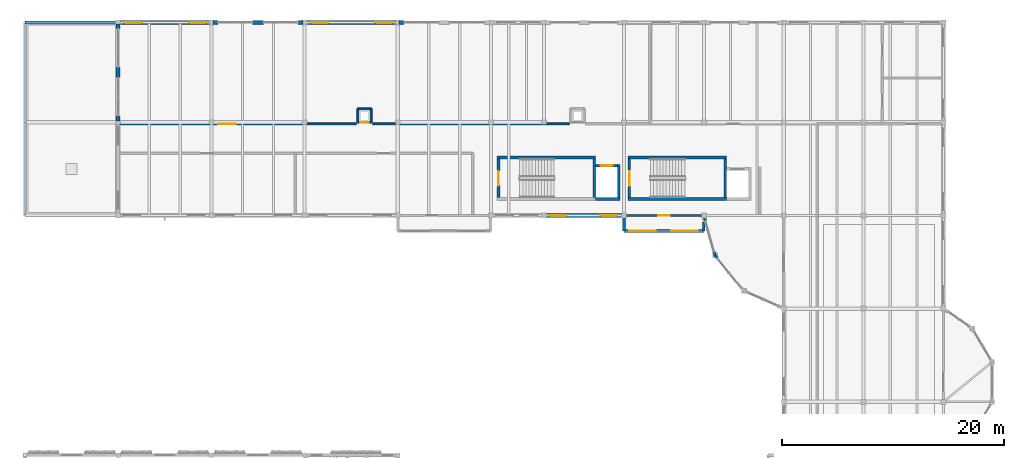
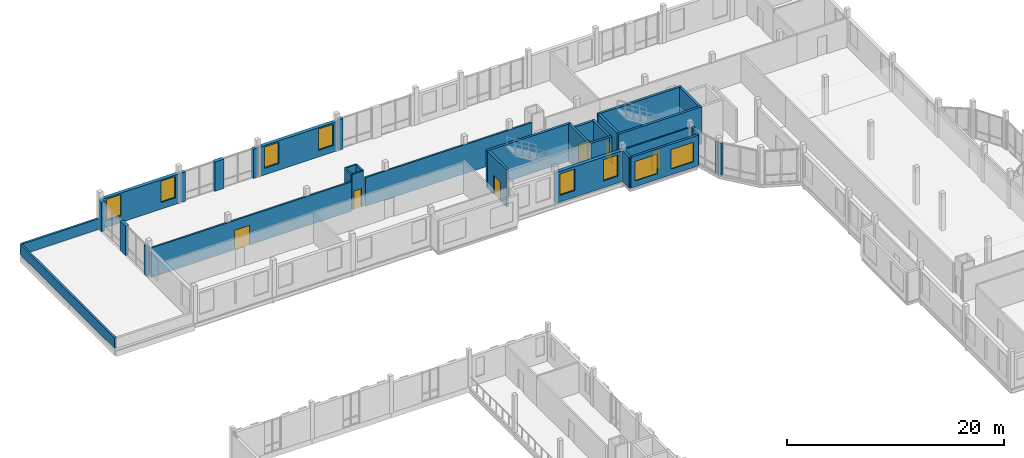
# One storey, part 60 of 81: 35 walls, 8 windows, 6 doors, 14 openings.
"""IFC4 building model written with IfcOpenShell, lengths in metres."""

from ifc_helpers import new_model, si_unit, direction, frame, frame_2d, origin, place, context, subcontext, project, spatial, rectangle, extrude, material, layer, layer_set, type_object, element, fill, save


model = new_model("IFC4")

# Units and contexts
model_context = context("Model", 3, precision=1e-05, world=origin(), true_north=direction((0.0, 1.0)))
body_context = subcontext(model_context, "Body", "Model", "MODEL_VIEW")
ifc_project = project(units=[si_unit("LENGTHUNIT", "METRE"), si_unit("AREAUNIT", "SQUARE_METRE"), si_unit("VOLUMEUNIT", "CUBIC_METRE"), si_unit("PLANEANGLEUNIT", "RADIAN"), si_unit("MASSUNIT", "GRAM", prefix="KILO")], contexts=[model_context])

# Site, building, storey
site_placement = place(None, origin())
site = spatial("IfcSite", under=ifc_project, at=site_placement, CompositionType="ELEMENT")
building_placement = place(site_placement, origin())
building = spatial("IfcBuilding", under=site, at=building_placement, Name="Kahlenmark Community Centre", CompositionType="ELEMENT")
storey_placement = place(building_placement, frame((0.0, 0.0, 9.60009765625)))
storey = spatial("IfcBuildingStorey", under=building, at=storey_placement, Name="L02", CompositionType="ELEMENT", Elevation=9.60009765625)

# Wall, opening, door
ifc_material_1 = material(Name="Concrete C35/45", Category="concrete")
ifc_layer_1 = layer(ifc_material_1, 0.25)
ifc_layer_set_1 = layer_set([ifc_layer_1], Name="Concrete C35/45")
wall_type_1 = type_object("IfcWallType", Name="WT-CORE-250", PredefinedType="SHEAR", material=ifc_layer_set_1)
wall_1_placement = place(storey_placement, frame((46.675048828125, 102.699951171875, 0.0), z_axis=(0.0, 0.0, 1.0), x_axis=(0.0, -1.0, 0.0)))
wall_1 = element("IfcWall", 1, at=wall_1_placement, inside=storey, type_object=wall_type_1, Name="Core K4 shear wall WL-CORE-K4-L02-0120", PredefinedType="SHEAR", context=body_context, shape_type="SweptSolid", body=[
    extrude(rectangle(XDim=3.5, YDim=0.25, at=frame_2d((1.75, 0.0))), origin(), (0.0, 0.0, 1.0), 4.199951171875),
])
opening_1_placement = place(wall_1_placement, frame((1.10009765625, 0.0, -0.010009765625)))
opening_1 = element("IfcOpeningElement", 2, at=opening_1_placement, cuts=wall_1, Name="Opening FD-K4-L02", PredefinedType="OPENING", context=body_context, shape_type="SweptSolid", body=[
    extrude(rectangle(XDim=1.300048828125, YDim=2.159912109375, at=frame_2d((0.64990234375, 1.080078125))), frame((0.0, 0.135009765625, 0.0), z_axis=(0.0, -1.0, 0.0), x_axis=(1.0, 0.0, 0.0)), (0.0, 0.0, 1.0), 0.27001953125),
])
ifc_material_2 = material(Name="Fire-rated steel-framed timber door FD60S", Category="steel")
door_type_1 = type_object("IfcDoorType", Name="DT-FD-K4-L02", OperationType="NOTDEFINED", PredefinedType="DOOR", material=ifc_material_2)
door_1_placement = place(opening_1_placement, frame((1.300048828125, 0.0, 0.010009765625), z_axis=(0.0, 0.0, 1.0), x_axis=(-1.0, 0.0, 0.0)))
door_1 = element("IfcDoor", 3, at=door_1_placement, inside=storey, type_object=door_type_1, Name="Core K4 stair fire door L02", OperationType="SINGLE_SWING_LEFT", OverallHeight=2.14990234375, OverallWidth=1.300048828125, PredefinedType="DOOR", context=body_context, shape_type="SweptSolid", body=[
    extrude(rectangle(XDim=1.300048828125, YDim=2.14990234375, at=frame_2d((0.64990234375, 1.074951171875))), frame((0.0, 0.02490234375, 0.0), z_axis=(0.0, -1.0, 0.0), x_axis=(1.0, 0.0, 0.0)), (0.0, 0.0, 1.0), 0.050048828125),
])
fill(opening_1, door_1)

# Walls
wall_2_placement = place(storey_placement, frame((46.550048828125, 102.824951171875, 0.0), z_axis=(0.0, 0.0, 1.0), x_axis=(1.0, 0.0, 0.0)))
element("IfcWall", 4, at=wall_2_placement, inside=storey, type_object=wall_type_1, Name="Core K4 shear wall WL-CORE-K4-L02-0122", PredefinedType="SHEAR", context=body_context, shape_type="SweptSolid", body=[
    extrude(rectangle(XDim=8.89990234375, YDim=0.25, at=frame_2d((4.449951171875, 0.0))), origin(), (0.0, 0.0, 1.0), 4.199951171875),
])
wall_3_placement = place(storey_placement, frame((55.324951171875, 99.199951171875, 0.0), z_axis=(0.0, 0.0, 1.0), x_axis=(0.0, 1.0, 0.0)))
element("IfcWall", 5, at=wall_3_placement, inside=storey, type_object=wall_type_1, Name="Core K4 shear wall WL-CORE-K4-L02-0123", PredefinedType="SHEAR", context=body_context, shape_type="SweptSolid", body=[
    extrude(rectangle(XDim=3.5, YDim=0.25, at=frame_2d((1.75, 0.0))), origin(), (0.0, 0.0, 1.0), 4.199951171875),
])
wall_4_placement = place(storey_placement, frame((55.449951171875, 99.074951171875, 0.0), z_axis=(0.0, 0.0, 1.0), x_axis=(1.0, 0.0, 0.0)))
element("IfcWall", 6, at=wall_4_placement, inside=storey, type_object=wall_type_1, Name="Core K4 shear wall WL-CORE-K4-L02-0124", PredefinedType="SHEAR", context=body_context, shape_type="SweptSolid", body=[
    extrude(rectangle(XDim=2.2099609375, YDim=0.25, at=frame_2d((1.10498046875, 0.0))), origin(), (0.0, 0.0, 1.0), 4.199951171875),
])
wall_5_placement = place(storey_placement, frame((57.534912109375, 98.949951171875, 0.0), z_axis=(0.0, 0.0, 1.0), x_axis=(0.0, 1.0, 0.0)))
element("IfcWall", 7, at=wall_5_placement, inside=storey, type_object=wall_type_1, Name="Core K4 shear wall WL-CORE-K4-L02-0125", PredefinedType="SHEAR", context=body_context, shape_type="SweptSolid", body=[
    extrude(rectangle(XDim=3.260009765625, YDim=0.25, at=frame_2d((1.6298828125, 0.0))), origin(), (0.0, 0.0, 1.0), 4.199951171875),
])

# Wall, opening, door
wall_6_placement = place(storey_placement, frame((55.449951171875, 102.0849609375, 0.0), z_axis=(0.0, 0.0, 1.0), x_axis=(1.0, 0.0, 0.0)))
wall_6 = element("IfcWall", 8, at=wall_6_placement, inside=storey, type_object=wall_type_1, Name="Core K4 shear wall WL-CORE-K4-L02-0126", PredefinedType="SHEAR", context=body_context, shape_type="SweptSolid", body=[
    extrude(rectangle(XDim=1.9599609375, YDim=0.25, at=frame_2d((0.97998046875, 0.0))), origin(), (0.0, 0.0, 1.0), 4.199951171875),
])
opening_2_placement = place(wall_6_placement, frame((0.429931640625, 0.0, -0.010009765625)))
opening_2 = element("IfcOpeningElement", 9, at=opening_2_placement, cuts=wall_6, Name="Opening LD-4", PredefinedType="OPENING", context=body_context, shape_type="SweptSolid", body=[
    extrude(rectangle(XDim=1.10009765625, YDim=2.159912109375, at=frame_2d((0.550048828125, 1.080078125))), frame((0.0, 0.135009765625, 0.0), z_axis=(0.0, -1.0, 0.0), x_axis=(1.0, 0.0, 0.0)), (0.0, 0.0, 1.0), 0.27001953125),
])
ifc_material_3 = material(Name="Brushed stainless steel sliding lift landing door", Category="steel")
door_type_2 = type_object("IfcDoorType", Name="DT-LD-K4", OperationType="SLIDING_TO_LEFT", PredefinedType="DOOR", material=ifc_material_3)
door_2_placement = place(opening_2_placement, frame((0.0, 0.0, 0.010009765625)))
door_2 = element("IfcDoor", 10, at=door_2_placement, inside=storey, type_object=door_type_2, Name="Lift LF-04 sliding landing door L02", OperationType="SLIDING_TO_LEFT", OverallHeight=2.14990234375, OverallWidth=1.10009765625, PredefinedType="DOOR", context=body_context, shape_type="SweptSolid", body=[
    extrude(rectangle(XDim=1.10009765625, YDim=2.14990234375, at=frame_2d((0.550048828125, 1.074951171875))), frame((0.0, 0.02490234375, 0.0), z_axis=(0.0, -1.0, 0.0), x_axis=(1.0, 0.0, 0.0)), (0.0, 0.0, 1.0), 0.050048828125),
])
fill(opening_2, door_2)

wall_7_placement = place(storey_placement, frame((58.47509765625, 102.699951171875, 0.0), z_axis=(0.0, 0.0, 1.0), x_axis=(0.0, -1.0, 0.0)))
wall_7 = element("IfcWall", 11, at=wall_7_placement, inside=storey, type_object=wall_type_1, Name="Core K5 shear wall WL-CORE-K5-L02-0169", PredefinedType="SHEAR", context=body_context, shape_type="SweptSolid", body=[
    extrude(rectangle(XDim=3.5, YDim=0.25, at=frame_2d((1.75, 0.0))), origin(), (0.0, 0.0, 1.0), 4.199951171875),
])
opening_3_placement = place(wall_7_placement, frame((1.10009765625, 0.0, -0.010009765625)))
opening_3 = element("IfcOpeningElement", 12, at=opening_3_placement, cuts=wall_7, Name="Opening FD-K5-L02", PredefinedType="OPENING", context=body_context, shape_type="SweptSolid", body=[
    extrude(rectangle(XDim=1.300048828125, YDim=2.159912109375, at=frame_2d((0.64990234375, 1.080078125))), frame((0.0, 0.135009765625, 0.0), z_axis=(0.0, -1.0, 0.0), x_axis=(1.0, 0.0, 0.0)), (0.0, 0.0, 1.0), 0.27001953125),
])
door_type_3 = type_object("IfcDoorType", Name="DT-FD-K5-L02", OperationType="NOTDEFINED", PredefinedType="DOOR", material=ifc_material_2)
door_3_placement = place(opening_3_placement, frame((0.0, 0.0, 0.010009765625)))
door_3 = element("IfcDoor", 13, at=door_3_placement, inside=storey, type_object=door_type_3, Name="Core K5 stair fire door L02", OperationType="SINGLE_SWING_RIGHT", OverallHeight=2.14990234375, OverallWidth=1.300048828125, PredefinedType="DOOR", context=body_context, shape_type="SweptSolid", body=[
    extrude(rectangle(XDim=1.300048828125, YDim=2.14990234375, at=frame_2d((0.64990234375, 1.074951171875))), frame((0.0, 0.02490234375, 0.0), z_axis=(0.0, -1.0, 0.0), x_axis=(1.0, 0.0, 0.0)), (0.0, 0.0, 1.0), 0.050048828125),
])
fill(opening_3, door_3)

# Walls
for number, where, z_axis, x_axis, name in (
    (14, (58.35009765625, 99.074951171875, 0.0), (0.0, 0.0, 1.0), (1.0, 0.0, 0.0), "Core K5 shear wall WL-CORE-K5-L02-0170"),
    (15, (58.35009765625, 102.824951171875, 0.0), (0.0, 0.0, 1.0), (1.0, 0.0, 0.0), "Core K5 shear wall WL-CORE-K5-L02-0171"),
):
    element("IfcWall", number, at=place(storey_placement, frame(where, z_axis=z_axis, x_axis=x_axis)), inside=storey, type_object=wall_type_1, Name=name, PredefinedType="SHEAR", context=body_context, shape_type="SweptSolid", body=[
        extrude(rectangle(XDim=8.89990234375, YDim=0.25, at=frame_2d((4.449951171875, 0.0))), origin(), (0.0, 0.0, 1.0), 4.199951171875),
    ])
wall_8_placement = place(storey_placement, frame((67.125, 99.199951171875, 0.0), z_axis=(0.0, 0.0, 1.0), x_axis=(0.0, 1.0, 0.0)))
element("IfcWall", 16, at=wall_8_placement, inside=storey, type_object=wall_type_1, Name="Core K5 shear wall WL-CORE-K5-L02-0172", PredefinedType="SHEAR", context=body_context, shape_type="SweptSolid", body=[
    extrude(rectangle(XDim=3.5, YDim=0.25, at=frame_2d((1.75, 0.0))), origin(), (0.0, 0.0, 1.0), 4.199951171875),
])
ifc_material_4 = material(Name="Cross-laminated timber CLT C24", Category="wood")
ifc_layer_2 = layer(ifc_material_4, 0.239990234375)
ifc_layer_set_2 = layer_set([ifc_layer_2], Name="Cross-laminated timber CLT C24")
wall_type_2 = type_object("IfcWallType", Name="WT-EW-240", PredefinedType="SOLIDWALL", material=ifc_layer_set_2)
wall_9_placement = place(storey_placement, frame((65.27490234375, 97.330078125, 0.0), z_axis=(0.0, 0.0, 1.0), x_axis=(0.267529355044, -0.963549710285, 0.0)))
element("IfcWall", 17, at=wall_9_placement, inside=storey, type_object=wall_type_2, Name="Rotunda pier closure 0780", PredefinedType="SOLIDWALL", context=body_context, shape_type="SweptSolid", body=[
    extrude(rectangle(XDim=0.219970703125, YDim=0.239990234375, at=frame_2d((0.10986328125, 0.0))), origin(), (0.0, 0.0, 1.0), 3.60986328125),
])
for number, where, z_axis, x_axis, name in (
    (18, (66.10888671875, 94.32763671875, 0.0), (0.0, 0.0, 1.0), (0.267791974516, -0.963476755498, 0.0), "Rotunda pier closure 0781"),
    (19, (66.199951171875, 94.0, 0.0), (0.0, 0.0, 1.0), (0.630457451131, -0.776223809422, 0.0), "Rotunda pier closure 0782"),
):
    element("IfcWall", number, at=place(storey_placement, frame(where, z_axis=z_axis, x_axis=x_axis)), inside=storey, type_object=wall_type_2, Name=name, PredefinedType="SOLIDWALL", context=body_context, shape_type="SweptSolid", body=[
        extrude(rectangle(XDim=0.340087890625, YDim=0.239990234375, at=frame_2d((0.169921875, 0.0))), origin(), (0.0, 0.0, 1.0), 3.60986328125),
    ])
wall_10_placement = place(storey_placement, frame((58.0, 97.449951171875, 0.0), z_axis=(0.0, 0.0, 1.0), x_axis=(0.0, -1.0, 0.0)))
element("IfcWall", 20, at=wall_10_placement, inside=storey, type_object=wall_type_2, Name="Bay oriel wall WL-ORI-L02-0835", PredefinedType="SOLIDWALL", context=body_context, shape_type="SweptSolid", body=[
    extrude(rectangle(XDim=1.25, YDim=0.239990234375, at=frame_2d((0.625, 0.0))), origin(), (0.0, 0.0, 1.0), 3.449951171875),
])

# Wall, openings, windows
wall_11_placement = place(storey_placement, frame((58.0, 96.199951171875, 0.0), z_axis=(0.0, 0.0, 1.0), x_axis=(1.0, 0.0, 0.0)))
wall_11 = element("IfcWall", 21, at=wall_11_placement, inside=storey, type_object=wall_type_2, Name="Bay oriel wall WL-ORI-L02-0836", PredefinedType="SOLIDWALL", context=body_context, shape_type="SweptSolid", body=[
    extrude(rectangle(XDim=7.199951171875, YDim=0.239990234375, at=frame_2d((3.60009765625, 0.0))), origin(), (0.0, 0.0, 1.0), 3.449951171875),
])
opening_4_placement = place(wall_11_placement, frame((0.4599609375, 0.0, 0.64990234375)))
opening_4 = element("IfcOpeningElement", 22, at=opening_4_placement, cuts=wall_11, Name="Opening W-240X220", PredefinedType="OPENING", context=body_context, shape_type="SweptSolid", body=[
    extrude(rectangle(XDim=2.39990234375, YDim=2.199951171875, at=frame_2d((1.199951171875, 1.10009765625))), frame((0.0, 0.1298828125, 0.0), z_axis=(0.0, -1.0, 0.0), x_axis=(1.0, 0.0, 0.0)), (0.0, 0.0, 1.0), 0.260009765625),
])
opening_5_placement = place(wall_11_placement, frame((4.260009765625, 0.0, 0.64990234375)))
opening_5 = element("IfcOpeningElement", 23, at=opening_5_placement, cuts=wall_11, Name="Opening W-240X220", PredefinedType="OPENING", context=body_context, shape_type="SweptSolid", body=[
    extrude(rectangle(XDim=2.39990234375, YDim=2.199951171875, at=frame_2d((1.199951171875, 1.10009765625))), frame((0.0, 0.1298828125, 0.0), z_axis=(0.0, -1.0, 0.0), x_axis=(1.0, 0.0, 0.0)), (0.0, 0.0, 1.0), 0.260009765625),
])
ifc_material_5 = material(Name="Triple low-e insulated glazing in timber-aluminium frame", Category="wood")
window_type_1 = type_object("IfcWindowType", Name="WNT-240X220", PartitioningType="TRIPLE_PANEL_VERTICAL", PredefinedType="WINDOW", material=ifc_material_5)
window_1_placement = place(opening_4_placement, origin())
window_1 = element("IfcWindow", 24, at=window_1_placement, inside=storey, type_object=window_type_1, Name="Window W-240X220 #0521", OverallHeight=2.199951171875, OverallWidth=2.39990234375, PartitioningType="TRIPLE_PANEL_VERTICAL", PredefinedType="WINDOW", context=body_context, shape_type="SweptSolid", body=[
    extrude(rectangle(XDim=2.39990234375, YDim=2.199951171875, at=frame_2d((1.199951171875, 1.10009765625))), frame((0.0, 0.030029296875, 0.0), z_axis=(0.0, -1.0, 0.0), x_axis=(1.0, 0.0, 0.0)), (0.0, 0.0, 1.0), 0.06005859375),
])
fill(opening_4, window_1)
window_2_placement = place(opening_5_placement, origin())
window_2 = element("IfcWindow", 25, at=window_2_placement, inside=storey, type_object=window_type_1, Name="Window W-240X220 #0522", OverallHeight=2.199951171875, OverallWidth=2.39990234375, PartitioningType="TRIPLE_PANEL_VERTICAL", PredefinedType="WINDOW", context=body_context, shape_type="SweptSolid", body=[
    extrude(rectangle(XDim=2.39990234375, YDim=2.199951171875, at=frame_2d((1.199951171875, 1.10009765625))), frame((0.0, 0.030029296875, 0.0), z_axis=(0.0, -1.0, 0.0), x_axis=(1.0, 0.0, 0.0)), (0.0, 0.0, 1.0), 0.06005859375),
])
fill(opening_5, window_2)

# Wall
wall_12_placement = place(storey_placement, frame((65.199951171875, 96.199951171875, 0.0), z_axis=(0.0, 0.0, 1.0), x_axis=(0.0, 1.0, 0.0)))
element("IfcWall", 26, at=wall_12_placement, inside=storey, type_object=wall_type_2, Name="Bay oriel wall WL-ORI-L02-0837", PredefinedType="SOLIDWALL", context=body_context, shape_type="SweptSolid", body=[
    extrude(rectangle(XDim=0.820068359375, YDim=0.239990234375, at=frame_2d((0.41015625, 0.0))), origin(), (0.0, 0.0, 1.0), 3.449951171875),
])

# Wall, openings, windows
ifc_material_6 = material(Name="Danube limestone masonry", Category="masonry")
ifc_layer_3 = layer(ifc_material_6, 0.360107421875)
ifc_layer_set_3 = layer_set([ifc_layer_3], Name="Danube limestone masonry")
wall_type_3 = type_object("IfcWallType", Name="WT-EW-360", PredefinedType="SOLIDWALL", material=ifc_layer_set_3)
wall_13_placement = place(storey_placement, frame((50.800048828125, 97.60009765625, 0.0), z_axis=(0.0, 0.0, 1.0), x_axis=(1.0, 0.0, 0.0)))
wall_13 = element("IfcWall", 27, at=wall_13_placement, inside=storey, type_object=wall_type_3, Name="Exterior wall WL-EXT-L02-0495", PredefinedType="SOLIDWALL", context=body_context, shape_type="SweptSolid", body=[
    extrude(rectangle(XDim=7.199951171875, YDim=0.360107421875, at=frame_2d((3.60009765625, 0.0))), origin(), (0.0, 0.0, 1.0), 3.449951171875),
])
opening_6_placement = place(wall_13_placement, frame((0.4599609375, 0.0, 0.75)))
opening_6 = element("IfcOpeningElement", 28, at=opening_6_placement, cuts=wall_13, Name="Opening W-155X240", PredefinedType="OPENING", context=body_context, shape_type="SweptSolid", body=[
    extrude(rectangle(XDim=1.550048828125, YDim=2.39990234375, at=frame_2d((0.77490234375, 1.199951171875))), frame((0.0, 0.18994140625, 0.0), z_axis=(0.0, -1.0, 0.0), x_axis=(1.0, 0.0, 0.0)), (0.0, 0.0, 1.0), 0.380126953125),
])
opening_7_placement = place(wall_13_placement, frame((5.06005859375, 0.0, 0.75)))
opening_7 = element("IfcOpeningElement", 29, at=opening_7_placement, cuts=wall_13, Name="Opening W-155X240", PredefinedType="OPENING", context=body_context, shape_type="SweptSolid", body=[
    extrude(rectangle(XDim=1.550048828125, YDim=2.39990234375, at=frame_2d((0.77490234375, 1.199951171875))), frame((0.0, 0.18994140625, 0.0), z_axis=(0.0, -1.0, 0.0), x_axis=(1.0, 0.0, 0.0)), (0.0, 0.0, 1.0), 0.380126953125),
])
ifc_material_7 = material(Name="Deep-reveal limestone punched triple glazing", Category="masonry")
window_type_2 = type_object("IfcWindowType", Name="WNT-155X240", PartitioningType="DOUBLE_PANEL_HORIZONTAL", PredefinedType="WINDOW", material=ifc_material_7)
window_3_placement = place(opening_6_placement, origin())
window_3 = element("IfcWindow", 30, at=window_3_placement, inside=storey, type_object=window_type_2, Name="Window W-155X240 #0293", OverallHeight=2.39990234375, OverallWidth=1.550048828125, PartitioningType="DOUBLE_PANEL_HORIZONTAL", PredefinedType="WINDOW", context=body_context, shape_type="SweptSolid", body=[
    extrude(rectangle(XDim=1.550048828125, YDim=2.39990234375, at=frame_2d((0.77490234375, 1.199951171875))), frame((0.0, 0.030029296875, 0.0), z_axis=(0.0, -1.0, 0.0), x_axis=(1.0, 0.0, 0.0)), (0.0, 0.0, 1.0), 0.06005859375),
])
fill(opening_6, window_3)
window_4_placement = place(opening_7_placement, origin())
window_4 = element("IfcWindow", 31, at=window_4_placement, inside=storey, type_object=window_type_2, Name="Window W-155X240 #0294", OverallHeight=2.39990234375, OverallWidth=1.550048828125, PartitioningType="DOUBLE_PANEL_HORIZONTAL", PredefinedType="WINDOW", context=body_context, shape_type="SweptSolid", body=[
    extrude(rectangle(XDim=1.550048828125, YDim=2.39990234375, at=frame_2d((0.77490234375, 1.199951171875))), frame((0.0, 0.030029296875, 0.0), z_axis=(0.0, -1.0, 0.0), x_axis=(1.0, 0.0, 0.0)), (0.0, 0.0, 1.0), 0.06005859375),
])
fill(opening_7, window_4)

wall_14_placement = place(storey_placement, frame((20.800048828125, 115.0, 0.0), z_axis=(0.0, 0.0, 1.0), x_axis=(-1.0, 0.0, 0.0)))
wall_14 = element("IfcWall", 32, at=wall_14_placement, inside=storey, type_object=wall_type_3, Name="Exterior wall WL-EXT-L02-0496", PredefinedType="SOLIDWALL", context=body_context, shape_type="SweptSolid", body=[
    extrude(rectangle(XDim=8.400146484375, YDim=0.360107421875, at=frame_2d((4.2001953125, 0.0))), origin(), (0.0, 0.0, 1.0), 3.309814453125),
])
opening_8_placement = place(wall_14_placement, frame((0.4599609375, 0.0, 0.75)))
opening_8 = element("IfcOpeningElement", 33, at=opening_8_placement, cuts=wall_14, Name="Opening W-155X240", PredefinedType="OPENING", context=body_context, shape_type="SweptSolid", body=[
    extrude(rectangle(XDim=1.550048828125, YDim=2.39990234375, at=frame_2d((0.77490234375, 1.199951171875))), frame((0.0, 0.18994140625, 0.0), z_axis=(0.0, -1.0, 0.0), x_axis=(1.0, 0.0, 0.0)), (0.0, 0.0, 1.0), 0.380126953125),
])
opening_9_placement = place(wall_14_placement, frame((6.260009765625, 0.0, 0.75)))
opening_9 = element("IfcOpeningElement", 34, at=opening_9_placement, cuts=wall_14, Name="Opening W-155X240", PredefinedType="OPENING", context=body_context, shape_type="SweptSolid", body=[
    extrude(rectangle(XDim=1.550048828125, YDim=2.39990234375, at=frame_2d((0.77490234375, 1.199951171875))), frame((0.0, 0.18994140625, 0.0), z_axis=(0.0, -1.0, 0.0), x_axis=(1.0, 0.0, 0.0)), (0.0, 0.0, 1.0), 0.380126953125),
])
window_5_placement = place(opening_8_placement, origin())
window_5 = element("IfcWindow", 35, at=window_5_placement, inside=storey, type_object=window_type_2, Name="Window W-155X240 #0295", OverallHeight=2.39990234375, OverallWidth=1.550048828125, PartitioningType="DOUBLE_PANEL_HORIZONTAL", PredefinedType="WINDOW", context=body_context, shape_type="SweptSolid", body=[
    extrude(rectangle(XDim=1.550048828125, YDim=2.39990234375, at=frame_2d((0.77490234375, 1.199951171875))), frame((0.0, 0.030029296875, 0.0), z_axis=(0.0, -1.0, 0.0), x_axis=(1.0, 0.0, 0.0)), (0.0, 0.0, 1.0), 0.06005859375),
])
fill(opening_8, window_5)
window_6_placement = place(opening_9_placement, origin())
window_6 = element("IfcWindow", 36, at=window_6_placement, inside=storey, type_object=window_type_2, Name="Window W-155X240 #0296", OverallHeight=2.39990234375, OverallWidth=1.550048828125, PartitioningType="DOUBLE_PANEL_HORIZONTAL", PredefinedType="WINDOW", context=body_context, shape_type="SweptSolid", body=[
    extrude(rectangle(XDim=1.550048828125, YDim=2.39990234375, at=frame_2d((0.77490234375, 1.199951171875))), frame((0.0, 0.030029296875, 0.0), z_axis=(0.0, -1.0, 0.0), x_axis=(1.0, 0.0, 0.0)), (0.0, 0.0, 1.0), 0.06005859375),
])
fill(opening_9, window_6)

# Walls
wall_15_placement = place(storey_placement, frame((25.47998046875, 115.0, 0.0), z_axis=(0.0, 0.0, 1.0), x_axis=(-1.0, 0.0, 0.0)))
element("IfcWall", 37, at=wall_15_placement, inside=storey, type_object=wall_type_3, Name="Postmodern limestone pier 0497", PredefinedType="SOLIDWALL", context=body_context, shape_type="SweptSolid", body=[
    extrude(rectangle(XDim=0.9599609375, YDim=0.360107421875, at=frame_2d((0.47998046875, 0.0))), origin(), (0.0, 0.0, 1.0), 3.309814453125),
])
for number, where, z_axis, x_axis, name in (
    (38, (29.070068359375, 115.0, 0.0), (0.0, 0.0, 1.0), (-1.0, 0.0, 0.0), "Column closure pier 0498"),
    (39, (21.3798828125, 115.0, 0.0), (0.0, 0.0, 1.0), (-1.0, 0.0, 0.0), "Column closure pier 0499"),
):
    element("IfcWall", number, at=place(storey_placement, frame(where, z_axis=z_axis, x_axis=x_axis)), inside=storey, type_object=wall_type_3, Name=name, PredefinedType="SOLIDWALL", context=body_context, shape_type="SweptSolid", body=[
        extrude(rectangle(XDim=0.449951171875, YDim=0.360107421875, at=frame_2d((0.22509765625, 0.0))), origin(), (0.0, 0.0, 1.0), 3.309814453125),
    ])

# Wall, openings, windows
wall_16_placement = place(storey_placement, frame((37.60009765625, 115.0, 0.0), z_axis=(0.0, 0.0, 1.0), x_axis=(-1.0, 0.0, 0.0)))
wall_16 = element("IfcWall", 40, at=wall_16_placement, inside=storey, type_object=wall_type_3, Name="Exterior wall WL-EXT-L02-0500", PredefinedType="SOLIDWALL", context=body_context, shape_type="SweptSolid", body=[
    extrude(rectangle(XDim=8.400146484375, YDim=0.360107421875, at=frame_2d((4.2001953125, 0.0))), origin(), (0.0, 0.0, 1.0), 3.309814453125),
])
opening_10_placement = place(wall_16_placement, frame((0.4599609375, 0.0, 0.75)))
opening_10 = element("IfcOpeningElement", 41, at=opening_10_placement, cuts=wall_16, Name="Opening W-155X240", PredefinedType="OPENING", context=body_context, shape_type="SweptSolid", body=[
    extrude(rectangle(XDim=1.550048828125, YDim=2.39990234375, at=frame_2d((0.77490234375, 1.199951171875))), frame((0.0, 0.18994140625, 0.0), z_axis=(0.0, -1.0, 0.0), x_axis=(1.0, 0.0, 0.0)), (0.0, 0.0, 1.0), 0.380126953125),
])
opening_11_placement = place(wall_16_placement, frame((6.260009765625, 0.0, 0.75)))
opening_11 = element("IfcOpeningElement", 42, at=opening_11_placement, cuts=wall_16, Name="Opening W-155X240", PredefinedType="OPENING", context=body_context, shape_type="SweptSolid", body=[
    extrude(rectangle(XDim=1.550048828125, YDim=2.39990234375, at=frame_2d((0.77490234375, 1.199951171875))), frame((0.0, 0.18994140625, 0.0), z_axis=(0.0, -1.0, 0.0), x_axis=(1.0, 0.0, 0.0)), (0.0, 0.0, 1.0), 0.380126953125),
])
window_7_placement = place(opening_10_placement, origin())
window_7 = element("IfcWindow", 43, at=window_7_placement, inside=storey, type_object=window_type_2, Name="Window W-155X240 #0297", OverallHeight=2.39990234375, OverallWidth=1.550048828125, PartitioningType="DOUBLE_PANEL_HORIZONTAL", PredefinedType="WINDOW", context=body_context, shape_type="SweptSolid", body=[
    extrude(rectangle(XDim=1.550048828125, YDim=2.39990234375, at=frame_2d((0.77490234375, 1.199951171875))), frame((0.0, 0.030029296875, 0.0), z_axis=(0.0, -1.0, 0.0), x_axis=(1.0, 0.0, 0.0)), (0.0, 0.0, 1.0), 0.06005859375),
])
fill(opening_10, window_7)
window_8_placement = place(opening_11_placement, origin())
window_8 = element("IfcWindow", 44, at=window_8_placement, inside=storey, type_object=window_type_2, Name="Window W-155X240 #0298", OverallHeight=2.39990234375, OverallWidth=1.550048828125, PartitioningType="DOUBLE_PANEL_HORIZONTAL", PredefinedType="WINDOW", context=body_context, shape_type="SweptSolid", body=[
    extrude(rectangle(XDim=1.550048828125, YDim=2.39990234375, at=frame_2d((0.77490234375, 1.199951171875))), frame((0.0, 0.030029296875, 0.0), z_axis=(0.0, -1.0, 0.0), x_axis=(1.0, 0.0, 0.0)), (0.0, 0.0, 1.0), 0.06005859375),
])
fill(opening_11, window_8)

# Walls
wall_17_placement = place(storey_placement, frame((38.179931640625, 115.0, 0.0), z_axis=(0.0, 0.0, 1.0), x_axis=(-1.0, 0.0, 0.0)))
element("IfcWall", 45, at=wall_17_placement, inside=storey, type_object=wall_type_3, Name="Column closure pier 0503", PredefinedType="SOLIDWALL", context=body_context, shape_type="SweptSolid", body=[
    extrude(rectangle(XDim=0.449951171875, YDim=0.360107421875, at=frame_2d((0.22509765625, 0.0))), origin(), (0.0, 0.0, 1.0), 3.449951171875),
])
wall_18_placement = place(storey_placement, frame((12.39990234375, 110.97998046875, 0.0), z_axis=(0.0, 0.0, 1.0), x_axis=(0.0, -1.0, 0.0)))
element("IfcWall", 46, at=wall_18_placement, inside=storey, type_object=wall_type_3, Name="Postmodern limestone pier 0515", PredefinedType="SOLIDWALL", context=body_context, shape_type="SweptSolid", body=[
    extrude(rectangle(XDim=0.9599609375, YDim=0.360107421875, at=frame_2d((0.47998046875, 0.0))), origin(), (0.0, 0.0, 1.0), 3.309814453125),
])
for number, where, z_axis, x_axis, name in (
    (47, (12.39990234375, 114.8701171875, 0.0), (0.0, 0.0, 1.0), (0.0, -1.0, 0.0), "Column closure pier 0516"),
    (48, (12.39990234375, 106.580078125, 0.0), (0.0, 0.0, 1.0), (0.0, -1.0, 0.0), "Column closure pier 0517"),
):
    element("IfcWall", number, at=place(storey_placement, frame(where, z_axis=z_axis, x_axis=x_axis)), inside=storey, type_object=wall_type_3, Name=name, PredefinedType="SOLIDWALL", context=body_context, shape_type="SweptSolid", body=[
        extrude(rectangle(XDim=0.4501953125, YDim=0.360107421875, at=frame_2d((0.22509765625, 0.0))), origin(), (0.0, 0.0, 1.0), 3.309814453125),
    ])
ifc_material_8 = material(Name="Concrete C30/37", Category="concrete")
ifc_layer_4 = layer(ifc_material_8, 0.219970703125)
ifc_layer_set_4 = layer_set([ifc_layer_4], Name="Concrete C30/37")
wall_type_4 = type_object("IfcWallType", Name="WT-PAR-220", PredefinedType="PARAPET", material=ifc_layer_set_4)
wall_19_placement = place(storey_placement, frame((4.0, 115.0, 0.0), z_axis=(0.0, 0.0, 1.0), x_axis=(1.0, 0.0, 0.0)))
element("IfcWall", 49, at=wall_19_placement, inside=storey, type_object=wall_type_4, Name="Roof parapet 1037", PredefinedType="PARAPET", context=body_context, shape_type="SweptSolid", body=[
    extrude(rectangle(XDim=8.219970703125, YDim=0.219970703125, at=frame_2d((4.10986328125, 0.0))), origin(), (0.0, 0.0, 1.0), 1.199951171875),
])
wall_20_placement = place(storey_placement, frame((4.0, 97.60009765625, 0.0), z_axis=(0.0, 0.0, 1.0), x_axis=(0.0, 1.0, 0.0)))
element("IfcWall", 50, at=wall_20_placement, inside=storey, type_object=wall_type_4, Name="Roof parapet 1038", PredefinedType="PARAPET", context=body_context, shape_type="SweptSolid", body=[
    extrude(rectangle(XDim=17.39990234375, YDim=0.219970703125, at=frame_2d((8.699951171875, 0.0))), origin(), (0.0, 0.0, 1.0), 1.14990234375),
])

# Wall, opening, door
ifc_material_9 = material(Name="Gypsum plasterboard partition", Category="gypsum")
ifc_layer_5 = layer(ifc_material_9, 0.14990234375)
ifc_layer_set_5 = layer_set([ifc_layer_5], Name="Gypsum plasterboard partition")
wall_type_5 = type_object("IfcWallType", Name="WT-PW-150", PredefinedType="PARTITIONING", material=ifc_layer_set_5)
wall_21_placement = place(storey_placement, frame((58.0, 97.60009765625, 0.0), z_axis=(0.0, 0.0, 1.0), x_axis=(1.0, 0.0, 0.0)))
wall_21 = element("IfcWall", 51, at=wall_21_placement, inside=storey, type_object=wall_type_5, Name="Interior partition WL-INT-L02-0190", PredefinedType="PARTITIONING", context=body_context, shape_type="SweptSolid", body=[
    extrude(rectangle(XDim=7.199951171875, YDim=0.14990234375, at=frame_2d((3.60009765625, 0.0))), origin(), (0.0, 0.0, 1.0), 3.449951171875),
])
opening_12_placement = place(wall_21_placement, frame((3.10009765625, 0.0, -0.010009765625)))
opening_12 = element("IfcOpeningElement", 52, at=opening_12_placement, cuts=wall_21, Name="Opening D-L02-111", PredefinedType="OPENING", context=body_context, shape_type="SweptSolid", body=[
    extrude(rectangle(XDim=1.0, YDim=2.159912109375, at=frame_2d((0.5, 1.080078125))), frame((0.0, 0.0849609375, 0.0), z_axis=(0.0, -1.0, 0.0), x_axis=(1.0, 0.0, 0.0)), (0.0, 0.0, 1.0), 0.169921875),
])
ifc_material_10 = material(Name="Oak timber veneer door leaf", Category="wood")
door_type_4 = type_object("IfcDoorType", Name="DT-INT-100X215", OperationType="NOTDEFINED", PredefinedType="DOOR", material=ifc_material_10)
door_4_placement = place(opening_12_placement, frame((1.0, 0.0, 0.010009765625), z_axis=(0.0, 0.0, 1.0), x_axis=(-1.0, 0.0, 0.0)))
door_4 = element("IfcDoor", 53, at=door_4_placement, inside=storey, type_object=door_type_4, Name="Interior door D-L02-111", OperationType="SINGLE_SWING_RIGHT", OverallHeight=2.14990234375, OverallWidth=1.0, PredefinedType="DOOR", context=body_context, shape_type="SweptSolid", body=[
    extrude(rectangle(XDim=1.0, YDim=2.14990234375, at=frame_2d((0.5, 1.074951171875))), frame((0.0, 0.02490234375, 0.0), z_axis=(0.0, -1.0, 0.0), x_axis=(1.0, 0.0, 0.0)), (0.0, 0.0, 1.0), 0.050048828125),
])
fill(opening_12, door_4)

ifc_layer_6 = layer(ifc_material_9, 0.179931640625)
ifc_layer_set_6 = layer_set([ifc_layer_6], Name="Gypsum plasterboard partition")
wall_type_6 = type_object("IfcWallType", Name="WT-PW-180", PredefinedType="PARTITIONING", material=ifc_layer_set_6)
wall_22_placement = place(storey_placement, frame((12.5400390625, 105.85009765625, 0.0), z_axis=(0.0, 0.0, 1.0), x_axis=(1.0, 0.0, 0.0)))
wall_22 = element("IfcWall", 54, at=wall_22_placement, inside=storey, type_object=wall_type_6, Name="Interior partition WL-INT-L02-0193", PredefinedType="PARTITIONING", context=body_context, shape_type="SweptSolid", body=[
    extrude(rectangle(XDim=21.31005859375, YDim=0.179931640625, at=frame_2d((10.655029296875, 0.0))), origin(), (0.0, 0.0, 1.0), 3.309814453125),
])
opening_13_placement = place(wall_22_placement, frame((8.8701171875, 0.0, -0.010009765625)))
opening_13 = element("IfcOpeningElement", 55, at=opening_13_placement, cuts=wall_22, Name="Opening D-L02-113", PredefinedType="OPENING", context=body_context, shape_type="SweptSolid", body=[
    extrude(rectangle(XDim=1.60009765625, YDim=2.2099609375, at=frame_2d((0.800048828125, 1.10498046875))), frame((0.0, 0.099853515625, 0.0), z_axis=(0.0, -1.0, 0.0), x_axis=(1.0, 0.0, 0.0)), (0.0, 0.0, 1.0), 0.199951171875),
])
ifc_material_11 = material(Name="Oak double-leaf acoustic door")
door_type_5 = type_object("IfcDoorType", Name="DT-DBL-160X220", OperationType="NOTDEFINED", PredefinedType="DOOR", material=ifc_material_11)
door_5_placement = place(opening_13_placement, frame((0.0, 0.0, 0.010009765625)))
door_5 = element("IfcDoor", 56, at=door_5_placement, inside=storey, type_object=door_type_5, Name="Interior door D-L02-113", OperationType="DOUBLE_SWING_LEFT", OverallHeight=2.199951171875, OverallWidth=1.60009765625, PredefinedType="DOOR", context=body_context, shape_type="SweptSolid", body=[
    extrude(rectangle(XDim=1.60009765625, YDim=2.199951171875, at=frame_2d((0.800048828125, 1.10009765625))), frame((0.0, 0.02490234375, 0.0), z_axis=(0.0, -1.0, 0.0), x_axis=(1.0, 0.0, 0.0)), (0.0, 0.0, 1.0), 0.050048828125),
])
fill(opening_13, door_5)

# Wall
wall_23_placement = place(storey_placement, frame((35.35009765625, 105.85009765625, 0.0), z_axis=(0.0, 0.0, 1.0), x_axis=(1.0, 0.0, 0.0)))
element("IfcWall", 57, at=wall_23_placement, inside=storey, type_object=wall_type_6, Name="Interior partition WL-INT-L02-0194", PredefinedType="PARTITIONING", context=body_context, shape_type="SweptSolid", body=[
    extrude(rectangle(XDim=17.699951171875, YDim=0.179931640625, at=frame_2d((8.85009765625, 0.0))), origin(), (0.0, 0.0, 1.0), 3.25),
])

# Wall, opening, door
ifc_material_12 = material(Name="Masonry blockwork", Category="masonry")
ifc_layer_7 = layer(ifc_material_12, 0.179931640625)
ifc_layer_set_7 = layer_set([ifc_layer_7], Name="Masonry blockwork")
wall_type_7 = type_object("IfcWallType", Name="WT-RISER-180", PredefinedType="SOLIDWALL", material=ifc_layer_set_7)
wall_24_placement = place(storey_placement, frame((34.0, 106.0, 0.0), z_axis=(0.0, 0.0, 1.0), x_axis=(1.0, 0.0, 0.0)))
wall_24 = element("IfcWall", 58, at=wall_24_placement, inside=storey, type_object=wall_type_7, Name="Riser RS-06 shaft wall L02.1", PredefinedType="SOLIDWALL", context=body_context, shape_type="SweptSolid", body=[
    extrude(rectangle(XDim=1.199951171875, YDim=0.179931640625, at=frame_2d((0.60009765625, 0.0))), origin(), (0.0, 0.0, 1.0), 3.969970703125),
])
opening_14_placement = place(wall_24_placement, frame((0.199951171875, 0.0, -0.010009765625)))
opening_14 = element("IfcOpeningElement", 59, at=opening_14_placement, cuts=wall_24, Name="Opening FD-RS80", PredefinedType="OPENING", context=body_context, shape_type="SweptSolid", body=[
    extrude(rectangle(XDim=0.800048828125, YDim=2.06005859375, at=frame_2d((0.39990234375, 1.030029296875))), frame((0.0, 0.099853515625, 0.0), z_axis=(0.0, -1.0, 0.0), x_axis=(1.0, 0.0, 0.0)), (0.0, 0.0, 1.0), 0.199951171875),
])
ifc_material_13 = material(Name="Fire-rated steel service riser door FD60S", Category="steel")
door_type_6 = type_object("IfcDoorType", Name="DT-RISER-80X205", OperationType="NOTDEFINED", PredefinedType="DOOR", material=ifc_material_13)
door_6_placement = place(opening_14_placement, frame((0.0, 0.0, 0.010009765625)))
door_6 = element("IfcDoor", 60, at=door_6_placement, inside=storey, type_object=door_type_6, Name="Riser RS-06 access door L02", OperationType="SINGLE_SWING_LEFT", OverallHeight=2.050048828125, OverallWidth=0.800048828125, PredefinedType="DOOR", context=body_context, shape_type="SweptSolid", body=[
    extrude(rectangle(XDim=0.800048828125, YDim=2.050048828125, at=frame_2d((0.39990234375, 1.02490234375))), frame((0.0, 0.02490234375, 0.0), z_axis=(0.0, -1.0, 0.0), x_axis=(1.0, 0.0, 0.0)), (0.0, 0.0, 1.0), 0.050048828125),
])
fill(opening_14, door_6)

# Walls
for number, where, z_axis, x_axis, name in (
    (61, (35.199951171875, 106.0, 0.0), (0.0, 0.0, 1.0), (0.0, 1.0, 0.0), "Riser RS-06 shaft wall L02.2"),
    (62, (35.199951171875, 107.199951171875, 0.0), (0.0, 0.0, 1.0), (-1.0, 0.0, 0.0), "Riser RS-06 shaft wall L02.3"),
    (63, (34.0, 107.199951171875, 0.0), (0.0, 0.0, 1.0), (0.0, -1.0, 0.0), "Riser RS-06 shaft wall L02.4"),
):
    element("IfcWall", number, at=place(storey_placement, frame(where, z_axis=z_axis, x_axis=x_axis)), inside=storey, type_object=wall_type_7, Name=name, PredefinedType="SOLIDWALL", context=body_context, shape_type="SweptSolid", body=[
        extrude(rectangle(XDim=1.199951171875, YDim=0.179931640625, at=frame_2d((0.60009765625, 0.0))), origin(), (0.0, 0.0, 1.0), 3.969970703125),
    ])

save(model, "model.ifc")
